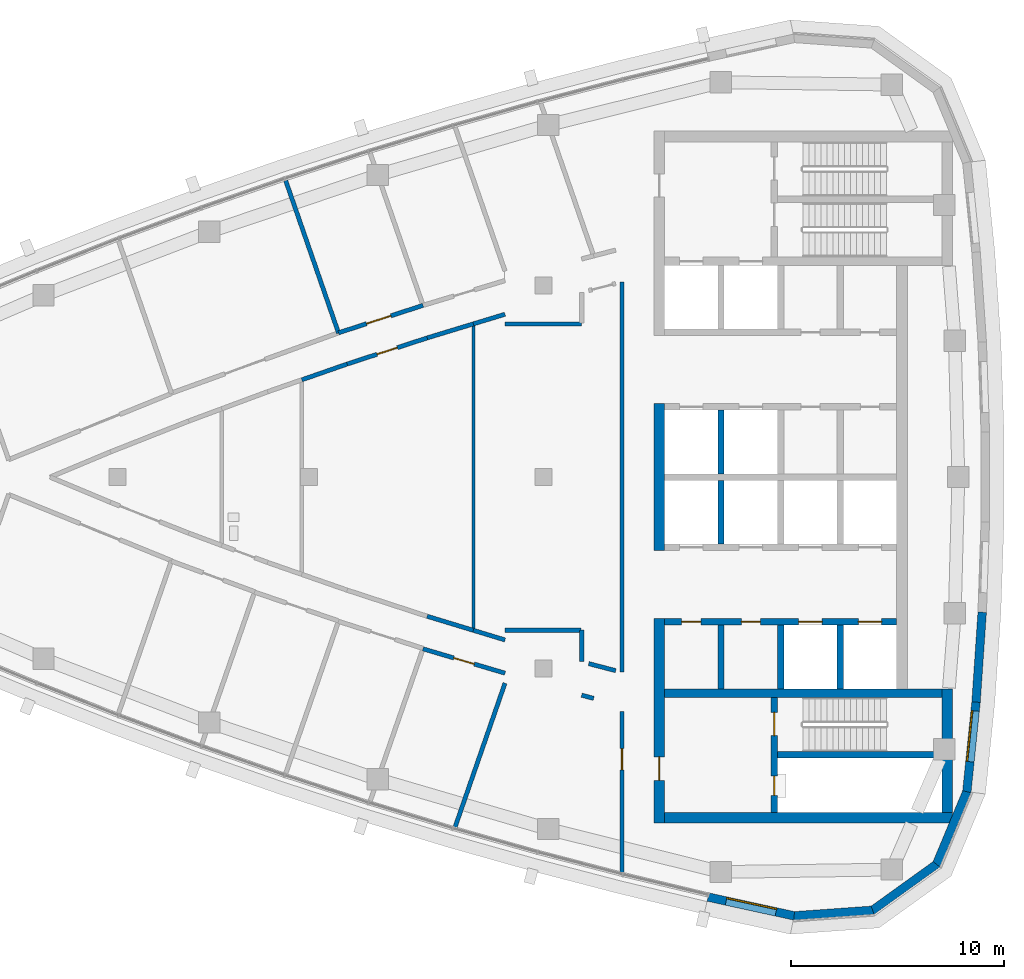
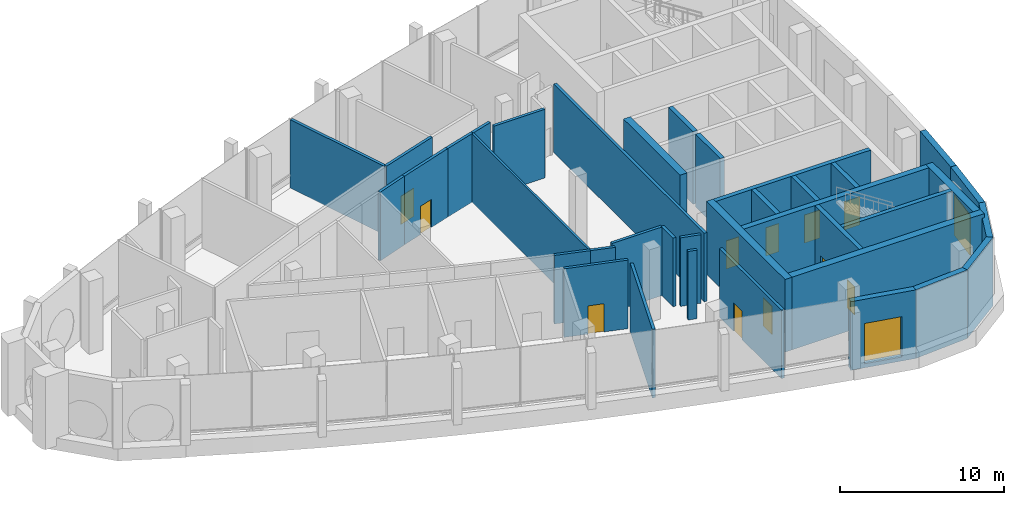
# One storey, part 8 of 15: 37 walls, 11 doors, 2 windows, 13 openings.
"""IFC4 building model written with IfcOpenShell, lengths in metres."""

from ifc_helpers import new_model, si_unit, direction, frame, frame_2d, origin, place, context, subcontext, project, spatial, polyline, rectangle, outline, extrude, material, layer, layer_set, type_object, element, fill, save


model = new_model("IFC4")

# Units and contexts
model_context = context("Model", 3, precision=1e-05, world=origin(), true_north=direction((0.0, 1.0)))
body_context = subcontext(model_context, "Body", "Model", "MODEL_VIEW")
ifc_project = project(units=[si_unit("LENGTHUNIT", "METRE"), si_unit("AREAUNIT", "SQUARE_METRE"), si_unit("VOLUMEUNIT", "CUBIC_METRE"), si_unit("PLANEANGLEUNIT", "RADIAN"), si_unit("MASSUNIT", "GRAM", prefix="KILO")], contexts=[model_context])

# Site, building, storey
site_placement = place(None, origin())
site = spatial("IfcSite", under=ifc_project, at=site_placement, CompositionType="ELEMENT")
building_placement = place(site_placement, origin())
building = spatial("IfcBuilding", under=site, at=building_placement, Name="Ostrand Prow Hotel Tower", CompositionType="ELEMENT")
storey_placement = place(building_placement, frame((0.0, 0.0, 313.199951171875)))
storey = spatial("IfcBuildingStorey", under=building, at=storey_placement, Name="C2", CompositionType="ELEMENT", Elevation=313.199951171875)

# Wall
ifc_material_1 = material(Name="Concrete C40/50", Category="concrete")
ifc_layer_1 = layer(ifc_material_1, 0.300048828125)
ifc_layer_set_1 = layer_set([ifc_layer_1], Name="Concrete C40/50")
wall_type_1 = type_object("IfcWallType", Name="Core wall 300 C40/50", PredefinedType="SHEAR", material=ifc_layer_set_1)
wall_1_placement = place(storey_placement, frame((53.35009765625, 0.14990234375, 0.0), z_axis=(0.0, 0.0, 1.0), x_axis=(0.0, 1.0, 0.0)))
element("IfcWall", 1, at=wall_1_placement, inside=storey, type_object=wall_type_1, Name="Core wall PW-R1-NB", PredefinedType="SHEAR", context=body_context, shape_type="SweptSolid", body=[
    extrude(rectangle(XDim=3.0, YDim=0.300048828125, at=frame_2d((1.5, 0.0))), origin(), (0.0, 0.0, 1.0), 5.400146484375),
])

# Wall, openings, doors
wall_2_placement = place(storey_placement, frame((50.699951171875, -6.800048828125, 0.0), z_axis=(0.0, 0.0, 1.0), x_axis=(1.0, 0.0, 0.0)))
wall_2 = element("IfcWall", 2, at=wall_2_placement, inside=storey, type_object=wall_type_1, Name="Core wall PW-L2-S", PredefinedType="SHEAR", context=body_context, shape_type="SweptSolid", body=[
    extrude(rectangle(XDim=10.900146484375, YDim=0.300048828125, at=frame_2d((5.4501953125, 0.0))), origin(), (0.0, 0.0, 1.0), 5.400146484375),
])
opening_1_placement = place(wall_2_placement, frame((6.300048828125, 0.0, 0.0)))
opening_1 = element("IfcOpeningElement", 3, at=opening_1_placement, cuts=wall_2, Name="Opening LD", PredefinedType="OPENING", context=body_context, shape_type="SweptSolid", body=[
    extrude(rectangle(XDim=1.10009765625, YDim=2.10009765625, at=frame_2d((0.550048828125, 1.050048828125))), frame((0.0, 0.159912109375, 0.0), z_axis=(0.0, -1.0, 0.0), x_axis=(1.0, 0.0, 0.0)), (0.0, 0.0, 1.0), 0.320068359375),
])
opening_2_placement = place(wall_2_placement, frame((9.10009765625, 0.0, 0.0)))
opening_2 = element("IfcOpeningElement", 4, at=opening_2_placement, cuts=wall_2, Name="Opening LD", PredefinedType="OPENING", context=body_context, shape_type="SweptSolid", body=[
    extrude(rectangle(XDim=1.10009765625, YDim=2.10009765625, at=frame_2d((0.550048828125, 1.050048828125))), frame((0.0, 0.159912109375, 0.0), z_axis=(0.0, -1.0, 0.0), x_axis=(1.0, 0.0, 0.0)), (0.0, 0.0, 1.0), 0.320068359375),
])
opening_3_placement = place(wall_2_placement, frame((0.800048828125, 0.0, 0.0)))
opening_3 = element("IfcOpeningElement", 5, at=opening_3_placement, cuts=wall_2, Name="Opening FD2", PredefinedType="OPENING", context=body_context, shape_type="SweptSolid", body=[
    extrude(rectangle(XDim=0.89990234375, YDim=2.10009765625, at=frame_2d((0.449951171875, 1.050048828125))), frame((0.0, 0.159912109375, 0.0), z_axis=(0.0, -1.0, 0.0), x_axis=(1.0, 0.0, 0.0)), (0.0, 0.0, 1.0), 0.320068359375),
])
opening_4_placement = place(wall_2_placement, frame((3.60009765625, 0.0, 0.0)))
opening_4 = element("IfcOpeningElement", 6, at=opening_4_placement, cuts=wall_2, Name="Opening FD2", PredefinedType="OPENING", context=body_context, shape_type="SweptSolid", body=[
    extrude(rectangle(XDim=0.89990234375, YDim=2.10009765625, at=frame_2d((0.449951171875, 1.050048828125))), frame((0.0, 0.159912109375, 0.0), z_axis=(0.0, -1.0, 0.0), x_axis=(1.0, 0.0, 0.0)), (0.0, 0.0, 1.0), 0.320068359375),
])
ifc_material_2 = material(Name="Steel fire door", Category="steel")
door_type_1 = type_object("IfcDoorType", Name="Fire door 900 EI120", OperationType="SINGLE_SWING_LEFT", PredefinedType="DOOR", material=ifc_material_2)
door_1_placement = place(opening_3_placement, origin())
door_1 = element("IfcDoor", 7, at=door_1_placement, inside=storey, type_object=door_type_1, Name="DOOR", OperationType="SINGLE_SWING_LEFT", OverallHeight=2.10009765625, OverallWidth=0.89990234375, PredefinedType="DOOR", context=body_context, shape_type="SweptSolid", body=[
    extrude(rectangle(XDim=0.89990234375, YDim=2.10009765625, at=frame_2d((0.449951171875, 1.050048828125))), frame((0.0, 0.02490234375, 0.0), z_axis=(0.0, -1.0, 0.0), x_axis=(1.0, 0.0, 0.0)), (0.0, 0.0, 1.0), 0.050048828125),
])
fill(opening_3, door_1)
door_2_placement = place(opening_4_placement, origin())
door_2 = element("IfcDoor", 8, at=door_2_placement, inside=storey, type_object=door_type_1, Name="DOOR", OperationType="SINGLE_SWING_LEFT", OverallHeight=2.10009765625, OverallWidth=0.89990234375, PredefinedType="DOOR", context=body_context, shape_type="SweptSolid", body=[
    extrude(rectangle(XDim=0.89990234375, YDim=2.10009765625, at=frame_2d((0.449951171875, 1.050048828125))), frame((0.0, 0.02490234375, 0.0), z_axis=(0.0, -1.0, 0.0), x_axis=(1.0, 0.0, 0.0)), (0.0, 0.0, 1.0), 0.050048828125),
])
fill(opening_4, door_2)
ifc_material_3 = material(Name="Stainless steel door", Category="steel")
door_type_2 = type_object("IfcDoorType", Name="Lift landing door 1100", OperationType="DOUBLE_DOOR_SLIDING", PredefinedType="DOOR", material=ifc_material_3)
door_3_placement = place(opening_1_placement, origin())
door_3 = element("IfcDoor", 9, at=door_3_placement, inside=storey, type_object=door_type_2, Name="LIFT LANDING DOOR", OperationType="DOUBLE_DOOR_SLIDING", OverallHeight=2.10009765625, OverallWidth=1.10009765625, PredefinedType="DOOR", context=body_context, shape_type="SweptSolid", body=[
    extrude(rectangle(XDim=1.10009765625, YDim=2.10009765625, at=frame_2d((0.550048828125, 1.050048828125))), frame((0.0, 0.02490234375, 0.0), z_axis=(0.0, -1.0, 0.0), x_axis=(1.0, 0.0, 0.0)), (0.0, 0.0, 1.0), 0.050048828125),
])
fill(opening_1, door_3)
door_4_placement = place(opening_2_placement, origin())
door_4 = element("IfcDoor", 10, at=door_4_placement, inside=storey, type_object=door_type_2, Name="LIFT LANDING DOOR", OperationType="DOUBLE_DOOR_SLIDING", OverallHeight=2.10009765625, OverallWidth=1.10009765625, PredefinedType="DOOR", context=body_context, shape_type="SweptSolid", body=[
    extrude(rectangle(XDim=1.10009765625, YDim=2.10009765625, at=frame_2d((0.550048828125, 1.050048828125))), frame((0.0, 0.02490234375, 0.0), z_axis=(0.0, -1.0, 0.0), x_axis=(1.0, 0.0, 0.0)), (0.0, 0.0, 1.0), 0.050048828125),
])
fill(opening_2, door_4)

# Walls
for number, where, z_axis, x_axis, name in (
    (11, (53.35009765625, -3.14990234375, 0.0), (0.0, 0.0, 1.0), (0.0, 1.0, 0.0), "Core wall PW-R1-SB"),
    (12, (53.35009765625, -9.949951171875, 0.0), (0.0, 0.0, 1.0), (0.0, 1.0, 0.0), "Core wall PW-R1-SA"),
    (13, (56.14990234375, -9.949951171875, 0.0), (0.0, 0.0, 1.0), (0.0, 1.0, 0.0), "Core wall PW-R2-SA"),
    (14, (58.949951171875, -9.949951171875, 0.0), (0.0, 0.0, 1.0), (0.0, 1.0, 0.0), "Core wall PW-R3-SA"),
):
    element("IfcWall", number, at=place(storey_placement, frame(where, z_axis=z_axis, x_axis=x_axis)), inside=storey, type_object=wall_type_1, Name=name, PredefinedType="SHEAR", context=body_context, shape_type="SweptSolid", body=[
        extrude(rectangle(XDim=3.0, YDim=0.300048828125, at=frame_2d((1.5, 0.0))), origin(), (0.0, 0.0, 1.0), 5.400146484375),
    ])

# Wall, openings, doors
wall_3_placement = place(storey_placement, frame((55.85009765625, -15.75, 0.0), z_axis=(0.0, 0.0, 1.0), x_axis=(0.0, 1.0, 0.0)))
wall_3 = element("IfcWall", 15, at=wall_3_placement, inside=storey, type_object=wall_type_1, Name="Core wall PW-VS", PredefinedType="SHEAR", context=body_context, shape_type="SweptSolid", body=[
    extrude(rectangle(XDim=5.39990234375, YDim=0.300048828125, at=frame_2d((2.699951171875, 0.0))), origin(), (0.0, 0.0, 1.0), 5.400146484375),
])
opening_5_placement = place(wall_3_placement, frame((3.60009765625, 0.0, 0.0)))
opening_5 = element("IfcOpeningElement", 16, at=opening_5_placement, cuts=wall_3, Name="Opening FD1", PredefinedType="OPENING", context=body_context, shape_type="SweptSolid", body=[
    extrude(rectangle(XDim=1.10009765625, YDim=2.10009765625, at=frame_2d((0.550048828125, 1.050048828125))), frame((0.0, 0.159912109375, 0.0), z_axis=(0.0, -1.0, 0.0), x_axis=(1.0, 0.0, 0.0)), (0.0, 0.0, 1.0), 0.320068359375),
])
opening_6_placement = place(wall_3_placement, frame((0.800048828125, 0.0, 0.0)))
opening_6 = element("IfcOpeningElement", 17, at=opening_6_placement, cuts=wall_3, Name="Opening FD2", PredefinedType="OPENING", context=body_context, shape_type="SweptSolid", body=[
    extrude(rectangle(XDim=0.89990234375, YDim=2.10009765625, at=frame_2d((0.449951171875, 1.050048828125))), frame((0.0, 0.159912109375, 0.0), z_axis=(0.0, -1.0, 0.0), x_axis=(1.0, 0.0, 0.0)), (0.0, 0.0, 1.0), 0.320068359375),
])
ifc_material_4 = material(Name="Steel fire door", Category="steel")
door_type_3 = type_object("IfcDoorType", Name="Fire door 1100 EI120", OperationType="SINGLE_SWING_RIGHT", PredefinedType="DOOR", material=ifc_material_4)
door_5_placement = place(opening_5_placement, origin())
door_5 = element("IfcDoor", 18, at=door_5_placement, inside=storey, type_object=door_type_3, Name="FIRE DOOR", OperationType="SINGLE_SWING_RIGHT", OverallHeight=2.10009765625, OverallWidth=1.10009765625, PredefinedType="DOOR", context=body_context, shape_type="SweptSolid", body=[
    extrude(rectangle(XDim=1.10009765625, YDim=2.10009765625, at=frame_2d((0.550048828125, 1.050048828125))), frame((0.0, 0.02490234375, 0.0), z_axis=(0.0, -1.0, 0.0), x_axis=(1.0, 0.0, 0.0)), (0.0, 0.0, 1.0), 0.050048828125),
])
fill(opening_5, door_5)
door_6_placement = place(opening_6_placement, origin())
door_6 = element("IfcDoor", 19, at=door_6_placement, inside=storey, type_object=door_type_1, Name="FIRE DOOR", OperationType="SINGLE_SWING_LEFT", OverallHeight=2.10009765625, OverallWidth=0.89990234375, PredefinedType="DOOR", context=body_context, shape_type="SweptSolid", body=[
    extrude(rectangle(XDim=0.89990234375, YDim=2.10009765625, at=frame_2d((0.449951171875, 1.050048828125))), frame((0.0, 0.02490234375, 0.0), z_axis=(0.0, -1.0, 0.0), x_axis=(1.0, 0.0, 0.0)), (0.0, 0.0, 1.0), 0.050048828125),
])
fill(opening_6, door_6)

# Walls
wall_4_placement = place(storey_placement, frame((56.0, -13.050048828125, 0.0), z_axis=(0.0, 0.0, 1.0), x_axis=(1.0, 0.0, 0.0)))
element("IfcWall", 20, at=wall_4_placement, inside=storey, type_object=wall_type_1, Name="Core wall PW-ST2R", PredefinedType="SHEAR", context=body_context, shape_type="SweptSolid", body=[
    extrude(rectangle(XDim=7.719970703125, YDim=0.300048828125, at=frame_2d((3.85986328125, 0.0))), origin(), (0.0, 0.0, 1.0), 5.400146484375),
])
ifc_material_5 = material(Name="Concrete C40/50", Category="concrete")
ifc_layer_2 = layer(ifc_material_5, 0.39990234375)
ifc_layer_set_2 = layer_set([ifc_layer_2], Name="Concrete C40/50")
wall_type_2 = type_object("IfcWallType", Name="Core wall 400 C40/50", PredefinedType="SHEAR", material=ifc_layer_set_2)
wall_5_placement = place(storey_placement, frame((50.699951171875, -10.14990234375, 0.0), z_axis=(0.0, 0.0, 1.0), x_axis=(1.0, 0.0, 0.0)))
element("IfcWall", 21, at=wall_5_placement, inside=storey, type_object=wall_type_2, Name="Core wall PW-BS", PredefinedType="SHEAR", context=body_context, shape_type="SweptSolid", body=[
    extrude(rectangle(XDim=13.02001953125, YDim=0.39990234375, at=frame_2d((6.510009765625, 0.0))), origin(), (0.0, 0.0, 1.0), 5.400146484375),
])
ifc_material_6 = material(Name="Concrete C40/50", Category="concrete")
ifc_layer_3 = layer(ifc_material_6, 0.5)
ifc_layer_set_3 = layer_set([ifc_layer_3], Name="Concrete C40/50")
wall_type_3 = type_object("IfcWallType", Name="Core wall 500 C40/50", PredefinedType="SHEAR", material=ifc_layer_set_3)
wall_6_placement = place(storey_placement, frame((50.449951171875, -3.449951171875, 0.0), z_axis=(0.0, 0.0, 1.0), x_axis=(0.0, 1.0, 0.0)))
element("IfcWall", 22, at=wall_6_placement, inside=storey, type_object=wall_type_3, Name="Core wall CW-W-C", PredefinedType="SHEAR", context=body_context, shape_type="SweptSolid", body=[
    extrude(rectangle(XDim=6.89990234375, YDim=0.5, at=frame_2d((3.449951171875, 0.0))), origin(), (0.0, 0.0, 1.0), 5.400146484375),
])

# Wall, opening, door
wall_7_placement = place(storey_placement, frame((50.449951171875, -16.25, 0.0), z_axis=(0.0, 0.0, 1.0), x_axis=(0.0, 1.0, 0.0)))
wall_7 = element("IfcWall", 23, at=wall_7_placement, inside=storey, type_object=wall_type_3, Name="Core wall CW-W-S", PredefinedType="SHEAR", context=body_context, shape_type="SweptSolid", body=[
    extrude(rectangle(XDim=9.60009765625, YDim=0.5, at=frame_2d((4.800048828125, 0.0))), origin(), (0.0, 0.0, 1.0), 5.400146484375),
])
opening_7_placement = place(wall_7_placement, frame((2.0, 0.0, 0.0)))
opening_7 = element("IfcOpeningElement", 24, at=opening_7_placement, cuts=wall_7, Name="Opening FD1", PredefinedType="OPENING", context=body_context, shape_type="SweptSolid", body=[
    extrude(rectangle(XDim=1.10009765625, YDim=2.10009765625, at=frame_2d((0.550048828125, 1.050048828125))), frame((0.0, 0.260009765625, 0.0), z_axis=(0.0, -1.0, 0.0), x_axis=(1.0, 0.0, 0.0)), (0.0, 0.0, 1.0), 0.52001953125),
])
door_7_placement = place(opening_7_placement, origin())
door_7 = element("IfcDoor", 25, at=door_7_placement, inside=storey, type_object=door_type_3, Name="FIRE DOOR", OperationType="SINGLE_SWING_RIGHT", OverallHeight=2.10009765625, OverallWidth=1.10009765625, PredefinedType="DOOR", context=body_context, shape_type="SweptSolid", body=[
    extrude(rectangle(XDim=1.10009765625, YDim=2.10009765625, at=frame_2d((0.550048828125, 1.050048828125))), frame((0.0, 0.02490234375, 0.0), z_axis=(0.0, -1.0, 0.0), x_axis=(1.0, 0.0, 0.0)), (0.0, 0.0, 1.0), 0.050048828125),
])
fill(opening_7, door_7)

# Walls
wall_8_placement = place(storey_placement, frame((50.699951171875, -16.0, 0.0), z_axis=(0.0, 0.0, 1.0), x_axis=(1.0, 0.0, 0.0)))
element("IfcWall", 26, at=wall_8_placement, inside=storey, type_object=wall_type_3, Name="Core wall CW-S", PredefinedType="SHEAR", context=body_context, shape_type="SweptSolid", body=[
    extrude(rectangle(XDim=13.52001953125, YDim=0.5, at=frame_2d((6.760009765625, 0.0))), origin(), (0.0, 0.0, 1.0), 5.400146484375),
])
wall_9_placement = place(storey_placement, frame((63.969970703125, -15.75, 0.0), z_axis=(0.0, 0.0, 1.0), x_axis=(0.0, 1.0, 0.0)))
element("IfcWall", 27, at=wall_9_placement, inside=storey, type_object=wall_type_3, Name="Core wall CW-E-S", PredefinedType="SHEAR", context=body_context, shape_type="SweptSolid", body=[
    extrude(rectangle(XDim=5.800048828125, YDim=0.5, at=frame_2d((2.89990234375, 0.0))), origin(), (0.0, 0.0, 1.0), 5.400146484375),
])
ifc_material_7 = material(Name="Plasterboard partition")
ifc_layer_4 = layer(ifc_material_7, 0.14990234375)
ifc_layer_set_4 = layer_set([ifc_layer_4], Name="Plasterboard partition")
wall_type_4 = type_object("IfcWallType", Name="Partition 150 room partition", PredefinedType="PARTITIONING", material=ifc_layer_set_4)
wall_10_placement = place(storey_placement, frame((41.713623046875, -7.19921875, 0.0), z_axis=(0.0, 0.0, 1.0), x_axis=(0.0, 1.0, 0.0)))
element("IfcWall", 28, at=wall_10_placement, inside=storey, type_object=wall_type_4, Name="ROOM PARTITION", PredefinedType="PARTITIONING", context=body_context, shape_type="SweptSolid", body=[
    extrude(rectangle(XDim=14.3984375, YDim=0.14990234375, at=frame_2d((7.19921875, 0.0))), origin(), (0.0, 0.0, 1.0), 5.10009765625),
])

# Wall, opening, door
ifc_material_8 = material(Name="Plasterboard partition")
ifc_layer_5 = layer(ifc_material_8, 0.199951171875)
ifc_layer_set_5 = layer_set([ifc_layer_5], Name="Plasterboard partition")
wall_type_5 = type_object("IfcWallType", Name="Partition 200 corridor wall", PredefinedType="PARTITIONING", material=ifc_layer_set_5)
wall_11_placement = place(storey_placement, frame((39.3466796875, 8.068115234375, 0.0), z_axis=(0.0, 0.0, 1.0), x_axis=(-0.951104948213, -0.308867896493, 0.0)))
wall_11 = element("IfcWall", 29, at=wall_11_placement, inside=storey, type_object=wall_type_5, Name="CORRIDOR WALL", PredefinedType="PARTITIONING", context=body_context, shape_type="SweptSolid", body=[
    extrude(rectangle(XDim=4.175048828125, YDim=0.199951171875, at=frame_2d((2.08740234375, 0.0))), origin(), (0.0, 0.0, 1.0), 5.10009765625),
])
opening_8_placement = place(wall_11_placement, frame((1.587646484375, 0.0, 0.0)))
opening_8 = element("IfcOpeningElement", 30, at=opening_8_placement, cuts=wall_11, Name="Opening D12", PredefinedType="OPENING", context=body_context, shape_type="SweptSolid", body=[
    extrude(rectangle(XDim=1.199951171875, YDim=2.10009765625, at=frame_2d((0.60009765625, 1.050048828125))), frame((0.0, 0.10986328125, 0.0), z_axis=(0.0, -1.0, 0.0), x_axis=(1.0, 0.0, 0.0)), (0.0, 0.0, 1.0), 0.219970703125),
])
ifc_material_9 = material(Name="Steel service door", Category="steel")
door_type_4 = type_object("IfcDoorType", Name="Service door 1200", OperationType="SINGLE_SWING_RIGHT", PredefinedType="DOOR", material=ifc_material_9)
door_8_placement = place(opening_8_placement, origin())
door_8 = element("IfcDoor", 31, at=door_8_placement, inside=storey, type_object=door_type_4, Name="DOOR", OperationType="SINGLE_SWING_RIGHT", OverallHeight=2.10009765625, OverallWidth=1.199951171875, PredefinedType="DOOR", context=body_context, shape_type="SweptSolid", body=[
    extrude(rectangle(XDim=1.199951171875, YDim=2.10009765625, at=frame_2d((0.60009765625, 1.050048828125))), frame((0.0, 0.02490234375, 0.0), z_axis=(0.0, -1.0, 0.0), x_axis=(1.0, 0.0, 0.0)), (0.0, 0.0, 1.0), 0.050048828125),
])
fill(opening_8, door_8)

wall_12_placement = place(storey_placement, frame((39.3466796875, -8.068115234375, 0.0), z_axis=(0.0, 0.0, 1.0), x_axis=(0.958623301067, -0.284677653938, 0.0)))
wall_12 = element("IfcWall", 32, at=wall_12_placement, inside=storey, type_object=wall_type_5, Name="CORRIDOR WALL", PredefinedType="PARTITIONING", context=body_context, shape_type="SweptSolid", body=[
    extrude(rectangle(XDim=4.01953125, YDim=0.199951171875, at=frame_2d((2.009765625, 0.0))), origin(), (0.0, 0.0, 1.0), 5.10009765625),
])
opening_9_placement = place(wall_12_placement, frame((1.509765625, 0.0, 0.0)))
opening_9 = element("IfcOpeningElement", 33, at=opening_9_placement, cuts=wall_12, Name="Opening D1R", PredefinedType="OPENING", context=body_context, shape_type="SweptSolid", body=[
    extrude(rectangle(XDim=1.0, YDim=2.10009765625, at=frame_2d((0.5, 1.050048828125))), frame((0.0, 0.10986328125, 0.0), z_axis=(0.0, -1.0, 0.0), x_axis=(1.0, 0.0, 0.0)), (0.0, 0.0, 1.0), 0.219970703125),
])
ifc_material_10 = material(Name="Timber door leaf", Category="wood")
door_type_5 = type_object("IfcDoorType", Name="Guest room door 1000 right", OperationType="SINGLE_SWING_RIGHT", PredefinedType="DOOR", material=ifc_material_10)
door_9_placement = place(opening_9_placement, origin())
door_9 = element("IfcDoor", 34, at=door_9_placement, inside=storey, type_object=door_type_5, Name="DOOR", OperationType="SINGLE_SWING_RIGHT", OverallHeight=2.10009765625, OverallWidth=1.0, PredefinedType="DOOR", context=body_context, shape_type="SweptSolid", body=[
    extrude(rectangle(XDim=1.0, YDim=2.10009765625, at=frame_2d((0.5, 1.050048828125))), frame((0.0, 0.02490234375, 0.0), z_axis=(0.0, -1.0, 0.0), x_axis=(1.0, 0.0, 0.0)), (0.0, 0.0, 1.0), 0.050048828125),
])
fill(opening_9, door_9)

# Wall
wall_13_placement = place(storey_placement, frame((46.800048828125, -10.248046875, 0.0), z_axis=(0.0, 0.0, 1.0), x_axis=(0.967635017449, -0.252353864654, 0.0)))
element("IfcWall", 35, at=wall_13_placement, inside=storey, type_object=wall_type_5, Name="CORRIDOR WALL", PredefinedType="PARTITIONING", context=body_context, shape_type="SweptSolid", body=[
    extrude(rectangle(XDim=0.584228515625, YDim=0.199951171875, at=frame_2d((0.2919921875, 0.0))), origin(), (0.0, 0.0, 1.0), 5.10009765625),
])

# Wall, opening, door
wall_14_placement = place(storey_placement, frame((35.783447265625, 5.312744140625, 0.0), z_axis=(0.0, 0.0, 1.0), x_axis=(0.950700567571, 0.310110352648, 0.0)))
wall_14 = element("IfcWall", 36, at=wall_14_placement, inside=storey, type_object=wall_type_5, Name="CORRIDOR WALL", PredefinedType="PARTITIONING", context=body_context, shape_type="SweptSolid", body=[
    extrude(rectangle(XDim=3.955322265625, YDim=0.199951171875, at=frame_2d((1.9775390625, 0.0))), origin(), (0.0, 0.0, 1.0), 5.10009765625),
])
opening_10_placement = place(wall_14_placement, frame((1.4775390625, 0.0, 0.0)))
opening_10 = element("IfcOpeningElement", 37, at=opening_10_placement, cuts=wall_14, Name="Opening D1R", PredefinedType="OPENING", context=body_context, shape_type="SweptSolid", body=[
    extrude(rectangle(XDim=1.0, YDim=2.10009765625, at=frame_2d((0.5, 1.050048828125))), frame((0.0, 0.10986328125, 0.0), z_axis=(0.0, -1.0, 0.0), x_axis=(1.0, 0.0, 0.0)), (0.0, 0.0, 1.0), 0.219970703125),
])
door_10_placement = place(opening_10_placement, origin())
door_10 = element("IfcDoor", 38, at=door_10_placement, inside=storey, type_object=door_type_5, Name="DOOR", OperationType="SINGLE_SWING_RIGHT", OverallHeight=2.10009765625, OverallWidth=1.0, PredefinedType="DOOR", context=body_context, shape_type="SweptSolid", body=[
    extrude(rectangle(XDim=1.0, YDim=2.10009765625, at=frame_2d((0.5, 1.050048828125))), frame((0.0, 0.02490234375, 0.0), z_axis=(0.0, -1.0, 0.0), x_axis=(1.0, 0.0, 0.0)), (0.0, 0.0, 1.0), 0.050048828125),
])
fill(opening_10, door_10)

# Walls
for number, where, z_axis, x_axis, name in (
    (39, (39.543701171875, 6.539306640625, 0.0), (0.0, 0.0, 1.0), (0.956735130354, 0.290960289981, 0.0), "CORRIDOR WALL"),
    (40, (41.713623046875, -7.19921875, 0.0), (0.0, 0.0, 1.0), (-0.956735130354, 0.290960289981, 0.0), "CORRIDOR WALL"),
):
    element("IfcWall", number, at=place(storey_placement, frame(where, z_axis=z_axis, x_axis=x_axis)), inside=storey, type_object=wall_type_5, Name=name, PredefinedType="PARTITIONING", context=body_context, shape_type="SweptSolid", body=[
        extrude(rectangle(XDim=2.26806640625, YDim=0.199951171875, at=frame_2d((1.134033203125, 0.0))), origin(), (0.0, 0.0, 1.0), 5.10009765625),
    ])
wall_15_placement = place(storey_placement, frame((33.65234375, 4.56982421875, 0.0), z_axis=(0.0, 0.0, 1.0), x_axis=(0.944267445695, 0.329179268788, 0.0)))
element("IfcWall", 41, at=wall_15_placement, inside=storey, type_object=wall_type_5, Name="CORRIDOR WALL", PredefinedType="PARTITIONING", context=body_context, shape_type="SweptSolid", body=[
    extrude(rectangle(XDim=2.2568359375, YDim=0.199951171875, at=frame_2d((1.12841796875, 0.0))), origin(), (0.0, 0.0, 1.0), 5.10009765625),
])
for number, where, z_axis, x_axis, name in (
    (42, (43.199951171875, -7.651123046875, 0.0), (0.0, 0.0, 1.0), (-0.956755682532, 0.290892701769, 0.0), "CORRIDOR WALL"),
    (43, (41.713623046875, 7.19921875, 0.0), (0.0, 0.0, 1.0), (0.956755682532, 0.290892701769, 0.0), "CORRIDOR WALL"),
):
    element("IfcWall", number, at=place(storey_placement, frame(where, z_axis=z_axis, x_axis=x_axis)), inside=storey, type_object=wall_type_5, Name=name, PredefinedType="PARTITIONING", context=body_context, shape_type="SweptSolid", body=[
        extrude(rectangle(XDim=1.553466796875, YDim=0.199951171875, at=frame_2d((0.77685546875, 0.0))), origin(), (0.0, 0.0, 1.0), 5.10009765625),
    ])
wall_16_placement = place(storey_placement, frame((48.39990234375, -9.09423828125, 0.0), z_axis=(0.0, 0.0, 1.0), x_axis=(-0.967678694968, 0.252186326563, 0.0)))
element("IfcWall", 44, at=wall_16_placement, inside=storey, type_object=wall_type_5, Name="CORRIDOR WALL", PredefinedType="PARTITIONING", context=body_context, shape_type="SweptSolid", body=[
    extrude(rectangle(XDim=1.307861328125, YDim=0.199951171875, at=frame_2d((0.65380859375, 0.0))), origin(), (0.0, 0.0, 1.0), 5.10009765625),
])

# Wall, opening, door
wall_17_placement = place(storey_placement, frame((48.695068359375, -11.022216796875, 0.0), z_axis=(0.0, 0.0, 1.0), x_axis=(0.0, -1.0, 0.0)))
wall_17 = element("IfcWall", 45, at=wall_17_placement, inside=storey, type_object=wall_type_5, Name="CORRIDOR WALL", PredefinedType="PARTITIONING", context=body_context, shape_type="SweptSolid", body=[
    extrude(rectangle(XDim=7.56689453125, YDim=0.199951171875, at=frame_2d((3.783447265625, 0.0))), origin(), (0.0, 0.0, 1.0), 5.10009765625),
])
opening_11_placement = place(wall_17_placement, frame((1.73095703125, 0.0, 0.0)))
opening_11 = element("IfcOpeningElement", 46, at=opening_11_placement, cuts=wall_17, Name="Opening D1R", PredefinedType="OPENING", context=body_context, shape_type="SweptSolid", body=[
    extrude(rectangle(XDim=1.0, YDim=2.10009765625, at=frame_2d((0.5, 1.050048828125))), frame((0.0, 0.10986328125, 0.0), z_axis=(0.0, -1.0, 0.0), x_axis=(1.0, 0.0, 0.0)), (0.0, 0.0, 1.0), 0.219970703125),
])
door_11_placement = place(opening_11_placement, origin())
door_11 = element("IfcDoor", 47, at=door_11_placement, inside=storey, type_object=door_type_5, Name="DOOR", OperationType="SINGLE_SWING_RIGHT", OverallHeight=2.10009765625, OverallWidth=1.0, PredefinedType="DOOR", context=body_context, shape_type="SweptSolid", body=[
    extrude(rectangle(XDim=1.0, YDim=2.10009765625, at=frame_2d((0.5, 1.050048828125))), frame((0.0, 0.02490234375, 0.0), z_axis=(0.0, -1.0, 0.0), x_axis=(1.0, 0.0, 0.0)), (0.0, 0.0, 1.0), 0.050048828125),
])
fill(opening_11, door_11)

# Walls
wall_18_placement = place(storey_placement, frame((43.199462890625, 7.195068359375, 0.0), z_axis=(0.0, 0.0, 1.0), x_axis=(0.999999997703, 6.7778229e-05, 0.0)))
element("IfcWall", 48, at=wall_18_placement, inside=storey, type_object=wall_type_5, Name="CORRIDOR WALL", PredefinedType="PARTITIONING", context=body_context, shape_type="SweptSolid", body=[
    extrude(rectangle(XDim=3.60205078125, YDim=0.199951171875, at=frame_2d((1.801025390625, 0.0))), origin(), (0.0, 0.0, 1.0), 5.10009765625),
])
wall_19_placement = place(storey_placement, frame((48.695068359375, 9.166015625, 0.0), z_axis=(0.0, 0.0, 1.0), x_axis=(0.0, -1.0, 0.0)))
element("IfcWall", 49, at=wall_19_placement, inside=storey, type_object=wall_type_5, Name="CORRIDOR WALL", PredefinedType="PARTITIONING", context=body_context, shape_type="SweptSolid", body=[
    extrude(rectangle(XDim=18.33203125, YDim=0.199951171875, at=frame_2d((9.166015625, 0.0))), origin(), (0.0, 0.0, 1.0), 5.10009765625),
])
wall_20_placement = place(storey_placement, frame((46.804931640625, -8.666259765625, 0.0), z_axis=(0.0, 0.0, 1.0), x_axis=(-0.002323645179, 0.999997300333, 0.0)))
element("IfcWall", 50, at=wall_20_placement, inside=storey, type_object=wall_type_5, Name="CORRIDOR WALL", PredefinedType="PARTITIONING", context=body_context, shape_type="SweptSolid", body=[
    extrude(rectangle(XDim=1.470947265625, YDim=0.199951171875, at=frame_2d((0.7353515625, 0.0))), origin(), (0.0, 0.0, 1.0), 5.10009765625),
])
wall_21_placement = place(storey_placement, frame((46.761474609375, -7.1953125, 0.0), z_axis=(0.0, 0.0, 1.0), x_axis=(-0.999999997651, 6.8540096e-05, 0.0)))
element("IfcWall", 51, at=wall_21_placement, inside=storey, type_object=wall_type_5, Name="CORRIDOR WALL", PredefinedType="PARTITIONING", context=body_context, shape_type="SweptSolid", body=[
    extrude(rectangle(XDim=3.56201171875, YDim=0.199951171875, at=frame_2d((1.781005859375, 0.0))), origin(), (0.0, 0.0, 1.0), 5.10009765625),
])
ifc_material_11 = material(Name="Plasterboard partition")
ifc_layer_6 = layer(ifc_material_11, 0.199951171875)
ifc_layer_set_6 = layer_set([ifc_layer_6], Name="Plasterboard partition")
wall_type_6 = type_object("IfcWallType", Name="Partition 200 key partition", PredefinedType="PARTITIONING", material=ifc_layer_set_6)
wall_22_placement = place(storey_placement, frame((35.38232421875, 6.759521484375, 0.0), z_axis=(0.0, 0.0, 1.0), x_axis=(-0.327699570064, 0.944781981083, 0.0)))
element("IfcWall", 52, at=wall_22_placement, inside=storey, type_object=wall_type_6, Name="KEY PARTITION", PredefinedType="PARTITIONING", context=body_context, shape_type="SweptSolid", body=[
    extrude(rectangle(XDim=7.601318359375, YDim=0.199951171875, at=frame_2d((3.80078125, 0.0))), origin(), (0.0, 0.0, 1.0), 5.10009765625),
])
wall_23_placement = place(storey_placement, frame((40.853515625, -16.447021484375, 0.0), z_axis=(0.0, 0.0, 1.0), x_axis=(0.327701896972, 0.944781173987, 0.0)))
element("IfcWall", 53, at=wall_23_placement, inside=storey, type_object=wall_type_6, Name="KEY PARTITION", PredefinedType="PARTITIONING", context=body_context, shape_type="SweptSolid", body=[
    extrude(rectangle(XDim=7.16015625, YDim=0.199951171875, at=frame_2d((3.580078125, 0.0))), origin(), (0.0, 0.0, 1.0), 5.10009765625),
])

# Wall, opening, window
ifc_material_12 = material(Name="Precast concrete C40/50", Category="concrete")
ifc_layer_7 = layer(ifc_material_12, 0.39990234375)
ifc_layer_set_7 = layer_set([ifc_layer_7], Name="Precast concrete C40/50")
wall_type_7 = type_object("IfcWallType", Name="Stone-faced precast wall 400 mm", PredefinedType="NOTDEFINED", material=ifc_layer_set_7)
wall_24_placement = place(storey_placement, frame((52.73828125, -19.73193359375, 0.0), z_axis=(0.0, 0.0, 1.0), x_axis=(0.977020225348, -0.213146614471, 0.0)))
wall_24 = element("IfcWall", 54, at=wall_24_placement, inside=storey, type_object=wall_type_7, Name="Stone-faced wall back 1", PredefinedType="NOTDEFINED", context=body_context, shape_type="SweptSolid", body=[
    extrude(outline(polyline([(0.0, -0.199951171875), (4.170654296875, -0.199951171875), (4.113037109375, 0.199951171875), (0.0, 0.199951171875), (0.0, -0.199951171875)])), origin(), (0.0, 0.0, 1.0), 5.10009765625),
])
opening_12_placement = place(wall_24_placement, frame((0.870849609375, 0.0, 0.300048828125)))
opening_12 = element("IfcOpeningElement", 55, at=opening_12_placement, cuts=wall_24, Name="Opening WR1", PredefinedType="OPENING", context=body_context, shape_type="SweptSolid", body=[
    extrude(rectangle(XDim=2.39990234375, YDim=3.0, at=frame_2d((1.199951171875, 1.5))), frame((0.0, 0.2099609375, 0.0), z_axis=(0.0, -1.0, 0.0), x_axis=(1.0, 0.0, 0.0)), (0.0, 0.0, 1.0), 0.419921875),
])
ifc_material_13 = material(Name="Insulated glass in bronze frame", Category="glass")
window_type = type_object("IfcWindowType", Name="Restaurant window 2400x3000", PartitioningType="SINGLE_PANEL", PredefinedType="WINDOW", material=ifc_material_13)
window_1_placement = place(opening_12_placement, origin())
window_1 = element("IfcWindow", 56, at=window_1_placement, inside=storey, type_object=window_type, Name="Window back 1.1", OverallHeight=3.0, OverallWidth=2.39990234375, PartitioningType="SINGLE_PANEL", PredefinedType="WINDOW", context=body_context, shape_type="SweptSolid", body=[
    extrude(rectangle(XDim=2.39990234375, YDim=3.0, at=frame_2d((1.199951171875, 1.5))), frame((0.0, 0.169921875, 0.0), z_axis=(0.0, -1.0, 0.0), x_axis=(1.0, 0.0, 0.0)), (0.0, 0.0, 1.0), 0.06005859375),
])
fill(opening_12, window_1)

# Walls
wall_25_placement = place(storey_placement, frame((56.784912109375, -20.61474609375, 0.0), z_axis=(0.0, 0.0, 1.0), x_axis=(0.99746272096, 0.071190731806, 0.0)))
element("IfcWall", 57, at=wall_25_placement, inside=storey, type_object=wall_type_7, Name="Stone-faced wall back 2", PredefinedType="NOTDEFINED", context=body_context, shape_type="SweptSolid", body=[
    extrude(outline(polyline([(-0.02880859375, -0.199951171875), (3.75341796875, -0.199951171875), (3.64013671875, 0.199951171875), (0.02880859375, 0.199951171875), (-0.02880859375, -0.199951171875)])), origin(), (0.0, 0.0, 1.0), 5.10009765625),
])
wall_26_placement = place(storey_placement, frame((60.472412109375, -20.3515625, 0.0), z_axis=(0.0, 0.0, 1.0), x_axis=(0.811962548682, 0.583709533533, 0.0)))
element("IfcWall", 58, at=wall_26_placement, inside=storey, type_object=wall_type_7, Name="Stone-faced wall back 3", PredefinedType="NOTDEFINED", context=body_context, shape_type="SweptSolid", body=[
    extrude(outline(polyline([(-0.056640625, -0.199951171875), (3.753173828125, -0.199951171875), (3.639892578125, 0.199951171875), (0.056640625, 0.199951171875), (-0.056640625, -0.199951171875)])), origin(), (0.0, 0.0, 1.0), 5.10009765625),
])
wall_27_placement = place(storey_placement, frame((63.473876953125, -18.19384765625, 0.0), z_axis=(0.0, 0.0, 1.0), x_axis=(0.385285857918, 0.922797273343, 0.0)))
element("IfcWall", 59, at=wall_27_placement, inside=storey, type_object=wall_type_7, Name="Stone-faced wall back 4", PredefinedType="NOTDEFINED", context=body_context, shape_type="SweptSolid", body=[
    extrude(outline(polyline([(-0.056640625, -0.199951171875), (3.726318359375, -0.199951171875), (3.667236328125, 0.199951171875), (0.056640625, 0.199951171875), (-0.056640625, -0.199951171875)])), origin(), (0.0, 0.0, 1.0), 5.10009765625),
])

# Wall, opening, window
wall_28_placement = place(storey_placement, frame((64.898193359375, -14.782470703125, 0.0), z_axis=(0.0, 0.0, 1.0), x_axis=(0.102249826987, 0.994758751096, 0.0)))
wall_28 = element("IfcWall", 60, at=wall_28_placement, inside=storey, type_object=wall_type_7, Name="Stone-faced wall back 5", PredefinedType="NOTDEFINED", context=body_context, shape_type="SweptSolid", body=[
    extrude(outline(polyline([(-0.029541015625, -0.199951171875), (4.23681640625, -0.199951171875), (4.22998046875, 0.199951171875), (0.029541015625, 0.199951171875), (-0.029541015625, -0.199951171875)])), origin(), (0.0, 0.0, 1.0), 5.10009765625),
])
opening_13_placement = place(wall_28_placement, frame((1.416748046875, 0.0, 0.300048828125)))
opening_13 = element("IfcOpeningElement", 61, at=opening_13_placement, cuts=wall_28, Name="Opening WR1", PredefinedType="OPENING", context=body_context, shape_type="SweptSolid", body=[
    extrude(rectangle(XDim=2.39990234375, YDim=3.0, at=frame_2d((1.199951171875, 1.5))), frame((0.0, 0.2099609375, 0.0), z_axis=(0.0, -1.0, 0.0), x_axis=(1.0, 0.0, 0.0)), (0.0, 0.0, 1.0), 0.419921875),
])
window_2_placement = place(opening_13_placement, origin())
window_2 = element("IfcWindow", 62, at=window_2_placement, inside=storey, type_object=window_type, Name="Window back 5.1", OverallHeight=3.0, OverallWidth=2.39990234375, PartitioningType="SINGLE_PANEL", PredefinedType="WINDOW", context=body_context, shape_type="SweptSolid", body=[
    extrude(rectangle(XDim=2.39990234375, YDim=3.0, at=frame_2d((1.199951171875, 1.5))), frame((0.0, 0.169921875, 0.0), z_axis=(0.0, -1.0, 0.0), x_axis=(1.0, 0.0, 0.0)), (0.0, 0.0, 1.0), 0.06005859375),
])
fill(opening_13, window_2)

# Wall
wall_29_placement = place(storey_placement, frame((65.3310546875, -10.5712890625, 0.0), z_axis=(0.0, 0.0, 1.0), x_axis=(0.068279584479, 0.997666225921, 0.0)))
element("IfcWall", 63, at=wall_29_placement, inside=storey, type_object=wall_type_7, Name="Stone-faced wall back 6", PredefinedType="NOTDEFINED", context=body_context, shape_type="SweptSolid", body=[
    extrude(outline(polyline([(-0.00341796875, -0.199951171875), (4.23681640625, -0.199951171875), (4.22998046875, 0.199951171875), (0.00341796875, 0.199951171875), (-0.00341796875, -0.199951171875)])), origin(), (0.0, 0.0, 1.0), 5.10009765625),
])

save(model, "model.ifc")
